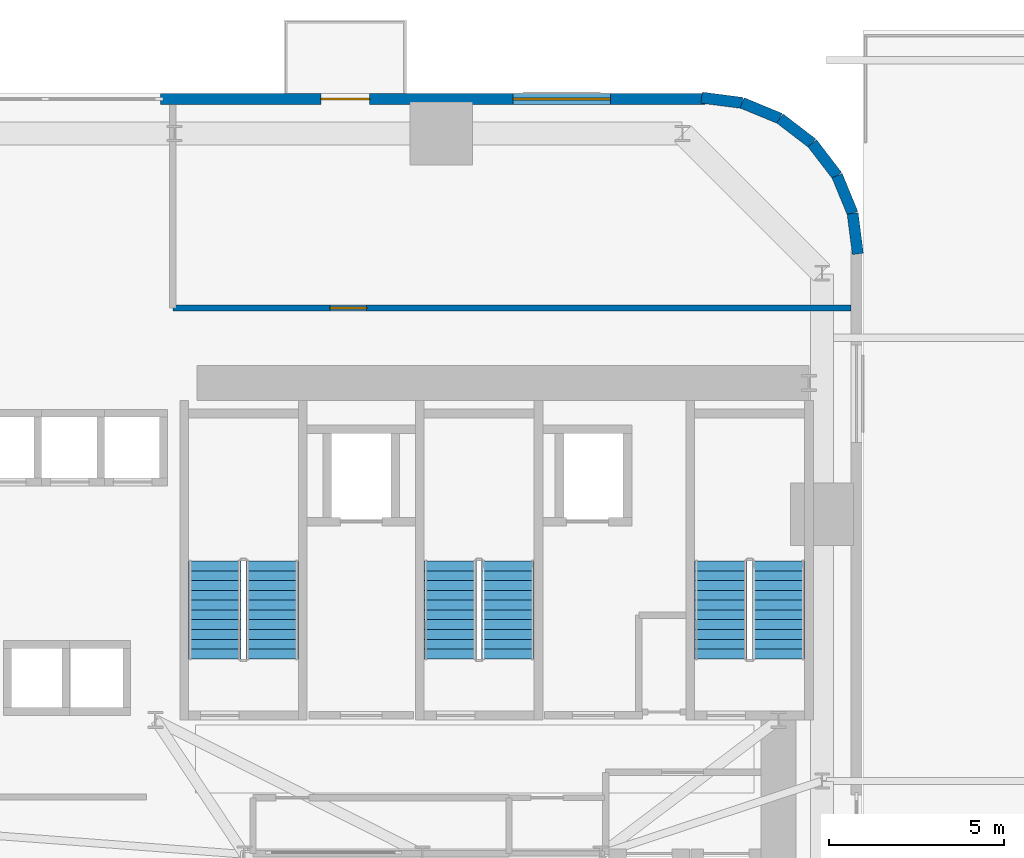
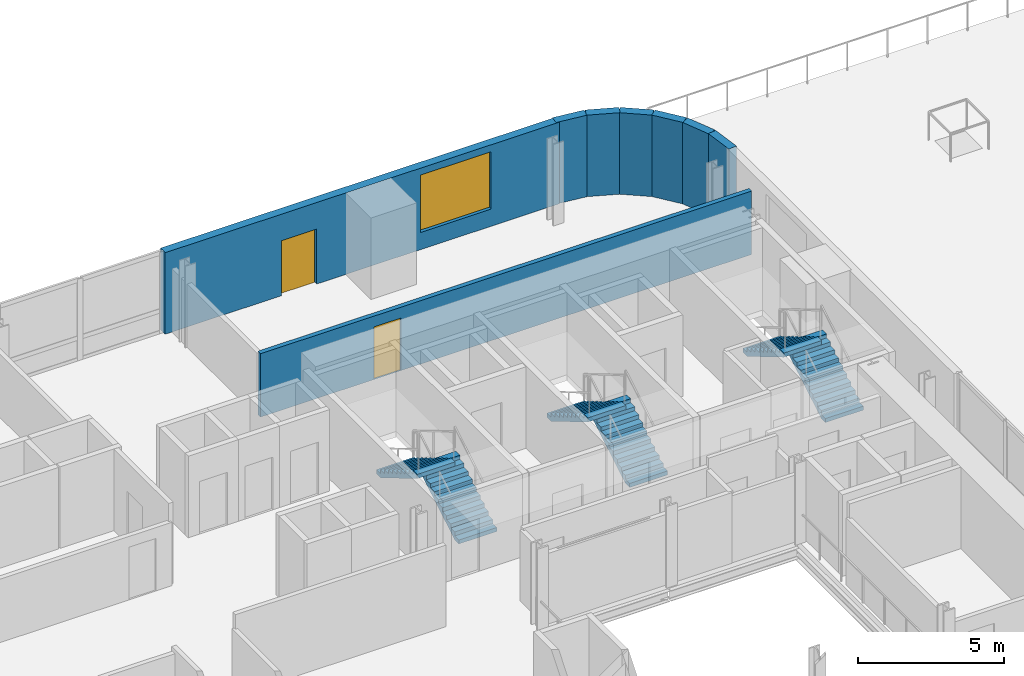
# One storey, part 12 of 18: 8 walls, 6 stair flights, 2 doors, 1 window, 3 openings, 3 elements without a shape of their own.
"""IFC4 building model written with IfcOpenShell, lengths in metres."""

from ifc_helpers import new_model, si_unit, direction, frame, frame_2d, origin, place, context, subcontext, project, spatial, polyline, rectangle, outline, extrude, source, transform, mapped, material, layer, layer_set, type_object, element, fill, aggregate, save


model = new_model("IFC4")

# Units and contexts
model_context = context("Model", 3, precision=1e-05, world=origin(), true_north=direction((0.0, 1.0)))
body_context = subcontext(model_context, "Body", "Model", "MODEL_VIEW")
ifc_project = project(units=[si_unit("LENGTHUNIT", "METRE"), si_unit("AREAUNIT", "SQUARE_METRE"), si_unit("VOLUMEUNIT", "CUBIC_METRE"), si_unit("PLANEANGLEUNIT", "RADIAN"), si_unit("MASSUNIT", "GRAM", prefix="KILO")], contexts=[model_context])

# Site, building, storey
site_placement = place(None, origin())
site = spatial("IfcSite", under=ifc_project, at=site_placement, CompositionType="ELEMENT")
building_placement = place(site_placement, origin())
building = spatial("IfcBuilding", under=site, at=building_placement, Name="Vardaveli Station Tower", CompositionType="ELEMENT")
storey_placement = place(building_placement, frame((0.0, 0.0, 27.60009765625)))
storey = spatial("IfcBuildingStorey", under=building, at=storey_placement, Name="L06", CompositionType="ELEMENT", Elevation=27.60009765625)

# Wall, openings, door, window
ifc_material_1 = material(Name="Precast concrete C45/55", Category="concrete")
ifc_layer_1 = layer(ifc_material_1, 0.320068359375, Name="Precast concrete C45/55")
ifc_layer_set_1 = layer_set([ifc_layer_1], Name="Precast concrete C45/55")
wall_type_1 = type_object("IfcWallType", Name="WAL-EXT-STONE-320", PredefinedType="SOLIDWALL", material=ifc_layer_set_1)
shared_shape_1 = source(origin(), body_context, "Body", "SweptSolid", [
    extrude(rectangle(XDim=15.599853515625, YDim=0.320068359375, at=frame_2d((7.7998046875, 0.0))), origin(), (0.0, 0.0, 1.0), 3.409912109375),
])
wall_1_placement = place(storey_placement, frame((44.39990234375, 48.43994140625, 0.0), z_axis=(0.0, 0.0, 1.0), x_axis=(-1.0, 0.0, 0.0)))
wall_1 = element("IfcWall", 1, at=wall_1_placement, inside=storey, type_object=wall_type_1, Name="EW-L06-N1", PredefinedType="SOLIDWALL", context=body_context, shape_type="MappedRepresentation", body=[
    mapped(shared_shape_1, transform((0.0, 0.0, 0.0), scale=1.0)),
])
shared_shape_2 = source(origin(), body_context, "Body", "SweptSolid", [
    extrude(rectangle(XDim=1.39990234375, YDim=2.300048828125, at=frame_2d((0.699951171875, 1.14990234375))), frame((0.0, 0.169921875, 0.0), z_axis=(0.0, -1.0, 0.0), x_axis=(1.0, 0.0, 0.0)), (0.0, 0.0, 1.0), 0.340087890625),
])
opening_1_placement = place(wall_1_placement, frame((9.6103515625, 0.0, 0.0)))
opening_1 = element("IfcOpeningElement", 2, at=opening_1_placement, cuts=wall_1, Name="Opening D-09", PredefinedType="OPENING", context=body_context, shape_type="MappedRepresentation", body=[
    mapped(shared_shape_2, transform((0.0, 0.0, 0.0), scale=1.0)),
])
shared_shape_3 = source(origin(), body_context, "Body", "SweptSolid", [
    extrude(rectangle(XDim=2.800048828125, YDim=2.39990234375, at=frame_2d((1.39990234375, 1.199951171875))), frame((0.0, 0.169921875, 0.0), z_axis=(0.0, -1.0, 0.0), x_axis=(1.0, 0.0, 0.0)), (0.0, 0.0, 1.0), 0.340087890625),
])
opening_2_placement = place(wall_1_placement, frame((2.705078125, 0.0, 0.719970703125)))
opening_2 = element("IfcOpeningElement", 3, at=opening_2_placement, cuts=wall_1, Name="Opening W-04", PredefinedType="OPENING", context=body_context, shape_type="MappedRepresentation", body=[
    mapped(shared_shape_3, transform((0.0, 0.0, 0.0), scale=1.0)),
])
ifc_material_2 = material(Name="Thermally broken aluminium glass", Category="aluminium")
door_type_1 = type_object("IfcDoorType", Name="DR-LOG-1400x2300", OperationType="DOUBLE_DOOR_SLIDING", PredefinedType="DOOR", material=ifc_material_2)
shared_shape_4 = source(origin(), body_context, "Body", "SweptSolid", [
    extrude(rectangle(XDim=1.39990234375, YDim=2.300048828125, at=frame_2d((0.699951171875, 1.14990234375))), frame((0.0, 0.02490234375, 0.0), z_axis=(0.0, -1.0, 0.0), x_axis=(1.0, 0.0, 0.0)), (0.0, 0.0, 1.0), 0.050048828125),
])
door_1_placement = place(opening_1_placement, frame((1.39990234375, 0.0, 0.0), z_axis=(0.0, 0.0, 1.0), x_axis=(-1.0, 0.0, 0.0)))
door_1 = element("IfcDoor", 4, at=door_1_placement, inside=storey, type_object=door_type_1, Name="DLG-L06-N", OperationType="DOUBLE_DOOR_SLIDING", OverallHeight=2.300048828125, OverallWidth=1.39990234375, PredefinedType="DOOR", context=body_context, shape_type="MappedRepresentation", body=[
    mapped(shared_shape_4, transform((0.0, 0.0, 0.0), scale=1.0)),
])
fill(opening_1, door_1)
ifc_material_3 = material(Name="Low-E solar-control glass", Category="glass")
window_type = type_object("IfcWindowType", Name="WIN-SUITE-2800x2400", PartitioningType="SINGLE_PANEL", PredefinedType="WINDOW", material=ifc_material_3)
shared_shape_5 = source(origin(), body_context, "Body", "SweptSolid", [
    extrude(rectangle(XDim=2.800048828125, YDim=2.39990234375, at=frame_2d((1.39990234375, 1.199951171875))), frame((0.0, 0.030029296875, 0.0), z_axis=(0.0, -1.0, 0.0), x_axis=(1.0, 0.0, 0.0)), (0.0, 0.0, 1.0), 0.06005859375),
])
window_placement = place(opening_2_placement, origin())
window = element("IfcWindow", 5, at=window_placement, inside=storey, type_object=window_type, Name="WN-L06-N1", OverallHeight=2.39990234375, OverallWidth=2.800048828125, PartitioningType="SINGLE_PANEL", PredefinedType="WINDOW", context=body_context, shape_type="MappedRepresentation", body=[
    mapped(shared_shape_5, transform((0.0, 0.0, 0.0), scale=1.0)),
])
fill(opening_2, window)

# Walls
shared_shape_6 = source(origin(), body_context, "Body", "SweptSolid", [
    extrude(rectangle(XDim=1.1689453125, YDim=0.320068359375, at=frame_2d((0.58447265625, 0.0))), origin(), (0.0, 0.0, 1.0), 3.409912109375),
])
wall_2_placement = place(storey_placement, frame((48.179931640625, 46.2412109375, 0.0), z_axis=(0.0, 0.0, 1.0), x_axis=(-0.608387696831, 0.793639975269, 0.0)))
element("IfcWall", 6, at=wall_2_placement, inside=storey, type_object=wall_type_1, Name="EW-L06-CR3-3", PredefinedType="SOLIDWALL", context=body_context, shape_type="MappedRepresentation", body=[
    mapped(shared_shape_6, transform((0.0, 0.0, 0.0), scale=1.0)),
])
shared_shape_7 = source(origin(), body_context, "Body", "SweptSolid", [
    extrude(rectangle(XDim=1.168701171875, YDim=0.320068359375, at=frame_2d((0.58447265625, 0.0))), origin(), (0.0, 0.0, 1.0), 3.409912109375),
])
wall_3_placement = place(storey_placement, frame((47.46875, 47.1689453125, 0.0), z_axis=(0.0, 0.0, 1.0), x_axis=(-0.793663520347, 0.608356981114, 0.0)))
element("IfcWall", 7, at=wall_3_placement, inside=storey, type_object=wall_type_1, Name="EW-L06-CR3-4", PredefinedType="SOLIDWALL", context=body_context, shape_type="MappedRepresentation", body=[
    mapped(shared_shape_7, transform((0.0, 0.0, 0.0), scale=1.0)),
])
shared_shape_8 = source(origin(), body_context, "Body", "SweptSolid", [
    extrude(rectangle(XDim=1.17041015625, YDim=0.320068359375, at=frame_2d((0.585205078125, 0.0))), origin(), (0.0, 0.0, 1.0), 3.409912109375),
])
for number, where, z_axis, x_axis, name in (
    (8, (48.775634765625, 43.99951171875, 0.0), (0.0, 0.0, 1.0), (-0.128295670475, 0.991735963317, 0.0), "EW-L06-CR3-1"),
    (9, (45.460205078125, 48.325439453125, 0.0), (0.0, 0.0, 1.0), (-0.991735963317, 0.128295670475, 0.0), "EW-L06-CR3-6"),
):
    element("IfcWall", number, at=place(storey_placement, frame(where, z_axis=z_axis, x_axis=x_axis)), inside=storey, type_object=wall_type_1, Name=name, PredefinedType="SOLIDWALL", context=body_context, shape_type="MappedRepresentation", body=[
        mapped(shared_shape_8, transform((0.0, 0.0, 0.0), scale=1.0)),
    ])
shared_shape_9 = source(origin(), body_context, "Body", "SweptSolid", [
    extrude(rectangle(XDim=1.169189453125, YDim=0.320068359375, at=frame_2d((0.58447265625, 0.0))), origin(), (0.0, 0.0, 1.0), 3.409912109375),
])
for number, where, z_axis, x_axis, name in (
    (10, (48.62548828125, 45.16015625, 0.0), (0.0, 0.0, 1.0), (-0.381054331552, 0.924552646638, 0.0), "EW-L06-CR3-2"),
    (11, (46.541259765625, 47.8798828125, 0.0), (0.0, 0.0, 1.0), (-0.924552646638, 0.381054331552, 0.0), "EW-L06-CR3-5"),
):
    element("IfcWall", number, at=place(storey_placement, frame(where, z_axis=z_axis, x_axis=x_axis)), inside=storey, type_object=wall_type_1, Name=name, PredefinedType="SOLIDWALL", context=body_context, shape_type="MappedRepresentation", body=[
        mapped(shared_shape_9, transform((0.0, 0.0, 0.0), scale=1.0)),
    ])

# Wall, opening, door
ifc_material_4 = material(Name="Fire-rated gypsum stud partition")
ifc_layer_2 = layer(ifc_material_4, 0.179931640625, Name="Fire-rated gypsum stud partition")
ifc_layer_set_2 = layer_set([ifc_layer_2], Name="Fire-rated gypsum stud partition")
wall_type_2 = type_object("IfcWallType", Name="WAL-CORR-180", PredefinedType="PARTITIONING", material=ifc_layer_set_2)
shared_shape_10 = source(origin(), body_context, "Body", "SweptSolid", [
    extrude(rectangle(XDim=19.427978515625, YDim=0.179931640625, at=frame_2d((9.7138671875, 0.0))), origin(), (0.0, 0.0, 1.0), 2.65185546875),
])
wall_4_placement = place(storey_placement, frame((29.14990234375, 42.449951171875, 0.0), z_axis=(0.0, 0.0, 1.0), x_axis=(1.0, 0.0, 0.0)))
wall_4 = element("IfcWall", 12, at=wall_4_placement, inside=storey, type_object=wall_type_2, Name="W-L06-NPS", PredefinedType="PARTITIONING", context=body_context, shape_type="MappedRepresentation", body=[
    mapped(shared_shape_10, transform((0.0, 0.0, 0.0), scale=1.0)),
])
shared_shape_11 = source(origin(), body_context, "Body", "SweptSolid", [
    extrude(rectangle(XDim=1.050048828125, YDim=2.199951171875, at=frame_2d((0.52490234375, 1.10009765625))), frame((0.0, 0.10009765625, 0.0), z_axis=(0.0, -1.0, 0.0), x_axis=(1.0, 0.0, 0.0)), (0.0, 0.0, 1.0), 0.199951171875),
])
opening_3_placement = place(wall_4_placement, frame((4.5, 0.0, 0.0)))
opening_3 = element("IfcOpeningElement", 13, at=opening_3_placement, cuts=wall_4, Name="Opening D-05", PredefinedType="OPENING", context=body_context, shape_type="MappedRepresentation", body=[
    mapped(shared_shape_11, transform((0.0, 0.0, 0.0), scale=1.0)),
])
ifc_material_5 = material(Name="Walnut veneer acoustic fire door")
door_type_2 = type_object("IfcDoorType", Name="DR-SUITE-1050x2200", OperationType="NOTDEFINED", PredefinedType="DOOR", material=ifc_material_5)
shared_shape_12 = source(origin(), body_context, "Body", "SweptSolid", [
    extrude(rectangle(XDim=1.050048828125, YDim=2.199951171875, at=frame_2d((0.52490234375, 1.10009765625))), frame((0.0, 0.02490234375, 0.0), z_axis=(0.0, -1.0, 0.0), x_axis=(1.0, 0.0, 0.0)), (0.0, 0.0, 1.0), 0.050048828125),
])
door_2_placement = place(opening_3_placement, origin())
door_2 = element("IfcDoor", 14, at=door_2_placement, inside=storey, type_object=door_type_2, Name="D-L06-NP1", OperationType="SINGLE_SWING_LEFT", OverallHeight=2.199951171875, OverallWidth=1.050048828125, PredefinedType="DOOR", context=body_context, shape_type="MappedRepresentation", body=[
    mapped(shared_shape_12, transform((0.0, 0.0, 0.0), scale=1.0)),
])
fill(opening_3, door_2)

# Stair, stair flights
ifc_material_6 = material(Name="Concrete C40/50", Category="concrete")
stair_type = type_object("IfcStairType", Name="STR-CORE-1500", PredefinedType="HALF_TURN_STAIR", material=ifc_material_6)
stair_1_placement = place(storey_placement, origin())
stair_1 = element("IfcStair", 15, at=stair_1_placement, inside=storey, type_object=stair_type, Name="L06 ST-1", PredefinedType="HALF_TURN_STAIR")
stair_flight_type = type_object("IfcStairFlightType", Name="SFL-CORE-1500", PredefinedType="STRAIGHT", material=ifc_material_6)
shared_shape_13 = source(origin(), body_context, "Body", "SweptSolid", [
    extrude(outline(polyline([(0.0, 0.0), (0.0, 0.166015625), (0.280029296875, 0.166015625), (0.280029296875, 0.331787109375), (0.56005859375, 0.331787109375), (0.56005859375, 0.497802734375), (0.840087890625, 0.497802734375), (0.840087890625, 0.66357421875), (1.1201171875, 0.66357421875), (1.1201171875, 0.82958984375), (1.39990234375, 0.82958984375), (1.39990234375, 0.995361328125), (1.679931640625, 0.995361328125), (1.679931640625, 1.161376953125), (1.9599609375, 1.161376953125), (1.9599609375, 1.327392578125), (2.239990234375, 1.327392578125), (2.239990234375, 1.4931640625), (2.52001953125, 1.4931640625), (2.52001953125, 1.6591796875), (2.800048828125, 1.6591796875), (2.800048828125, 1.824951171875), (2.800048828125, 1.48486328125), (0.2939453125, 0.0), (0.0, 0.0)])), frame((0.0, 0.75, 0.0), z_axis=(0.0, -1.0, 0.0), x_axis=(1.0, 0.0, 0.0)), (0.0, 0.0, 1.0), 1.5),
])
stair_flight_1_placement = place(storey_placement, frame((32.0, 32.39990234375, 0.0), z_axis=(0.0, 0.0, 1.0), x_axis=(0.0, 1.0, 0.0)))
stair_flight_1 = element("IfcStairFlight", 16, at=stair_flight_1_placement, type_object=stair_flight_type, Name="ST-1 flight 1", NumberOfRisers=11, NumberOfTreads=10, PredefinedType="STRAIGHT", RiserHeight=0.165909091, TreadLength=0.28, context=body_context, shape_type="MappedRepresentation", body=[
    mapped(shared_shape_13, transform((0.0, 0.0, 0.0), scale=1.0)),
])
stair_flight_2_placement = place(storey_placement, frame((30.35009765625, 35.199951171875, 1.824951171875), z_axis=(0.0, 0.0, 1.0), x_axis=(0.0, -1.0, 0.0)))
stair_flight_2 = element("IfcStairFlight", 17, at=stair_flight_2_placement, type_object=stair_flight_type, Name="ST-1 flight 2", NumberOfRisers=11, NumberOfTreads=10, PredefinedType="STRAIGHT", RiserHeight=0.165909091, TreadLength=0.28, context=body_context, shape_type="MappedRepresentation", body=[
    mapped(shared_shape_13, transform((0.0, 0.0, 0.0), scale=1.0)),
])
aggregate(stair_1, [stair_flight_1, stair_flight_2])

stair_2_placement = place(storey_placement, origin())
stair_2 = element("IfcStair", 18, at=stair_2_placement, inside=storey, type_object=stair_type, Name="L06 ST-2", PredefinedType="HALF_TURN_STAIR")
stair_flight_3_placement = place(storey_placement, frame((38.75, 32.39990234375, 0.0), z_axis=(0.0, 0.0, 1.0), x_axis=(0.0, 1.0, 0.0)))
stair_flight_3 = element("IfcStairFlight", 19, at=stair_flight_3_placement, type_object=stair_flight_type, Name="ST-2 flight 1", NumberOfRisers=11, NumberOfTreads=10, PredefinedType="STRAIGHT", RiserHeight=0.165909091, TreadLength=0.28, context=body_context, shape_type="MappedRepresentation", body=[
    mapped(shared_shape_13, transform((0.0, 0.0, 0.0), scale=1.0)),
])
stair_flight_4_placement = place(storey_placement, frame((37.10009765625, 35.199951171875, 1.824951171875), z_axis=(0.0, 0.0, 1.0), x_axis=(0.0, -1.0, 0.0)))
stair_flight_4 = element("IfcStairFlight", 20, at=stair_flight_4_placement, type_object=stair_flight_type, Name="ST-2 flight 2", NumberOfRisers=11, NumberOfTreads=10, PredefinedType="STRAIGHT", RiserHeight=0.165909091, TreadLength=0.28, context=body_context, shape_type="MappedRepresentation", body=[
    mapped(shared_shape_13, transform((0.0, 0.0, 0.0), scale=1.0)),
])
aggregate(stair_2, [stair_flight_3, stair_flight_4])

stair_3_placement = place(storey_placement, origin())
stair_3 = element("IfcStair", 21, at=stair_3_placement, inside=storey, type_object=stair_type, Name="L06 ST-3", PredefinedType="HALF_TURN_STAIR")
stair_flight_5_placement = place(storey_placement, frame((46.5, 32.39990234375, 0.0), z_axis=(0.0, 0.0, 1.0), x_axis=(0.0, 1.0, 0.0)))
stair_flight_5 = element("IfcStairFlight", 22, at=stair_flight_5_placement, type_object=stair_flight_type, Name="ST-3 flight 1", NumberOfRisers=11, NumberOfTreads=10, PredefinedType="STRAIGHT", RiserHeight=0.165909091, TreadLength=0.28, context=body_context, shape_type="MappedRepresentation", body=[
    mapped(shared_shape_13, transform((0.0, 0.0, 0.0), scale=1.0)),
])
stair_flight_6_placement = place(storey_placement, frame((44.85009765625, 35.199951171875, 1.824951171875), z_axis=(0.0, 0.0, 1.0), x_axis=(0.0, -1.0, 0.0)))
stair_flight_6 = element("IfcStairFlight", 23, at=stair_flight_6_placement, type_object=stair_flight_type, Name="ST-3 flight 2", NumberOfRisers=11, NumberOfTreads=10, PredefinedType="STRAIGHT", RiserHeight=0.165909091, TreadLength=0.28, context=body_context, shape_type="MappedRepresentation", body=[
    mapped(shared_shape_13, transform((0.0, 0.0, 0.0), scale=1.0)),
])
aggregate(stair_3, [stair_flight_5, stair_flight_6])

save(model, "model.ifc")
